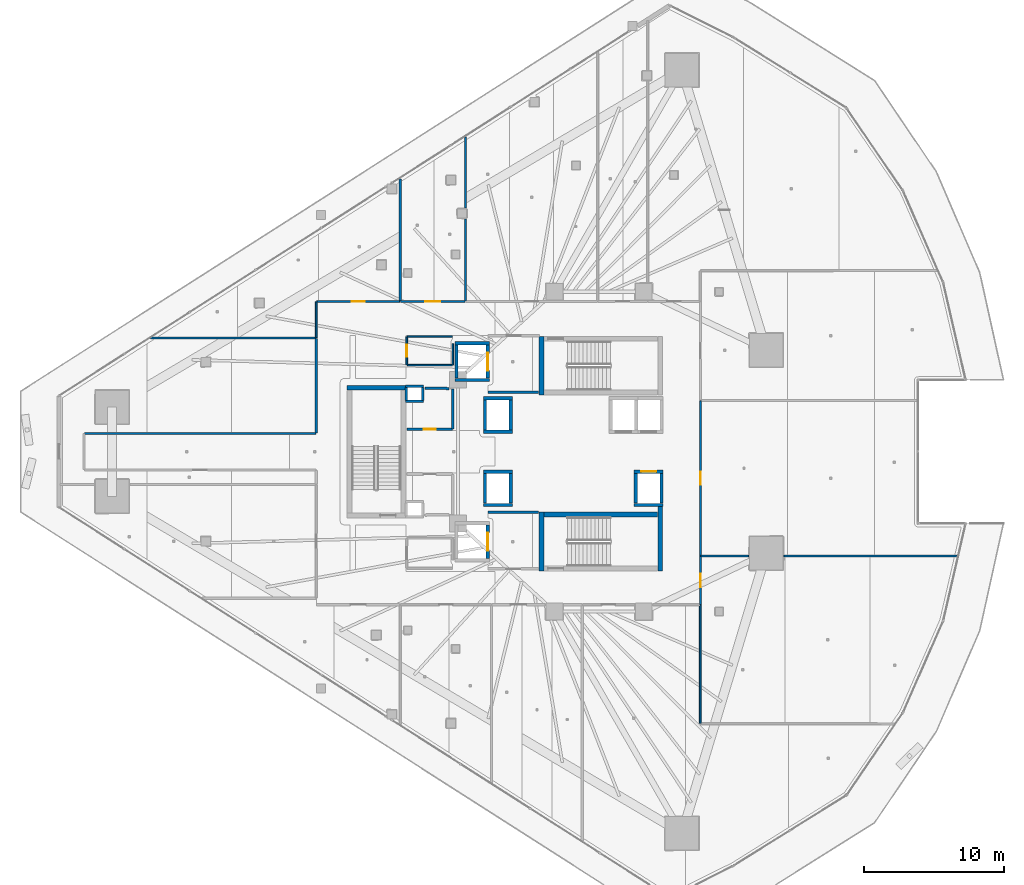
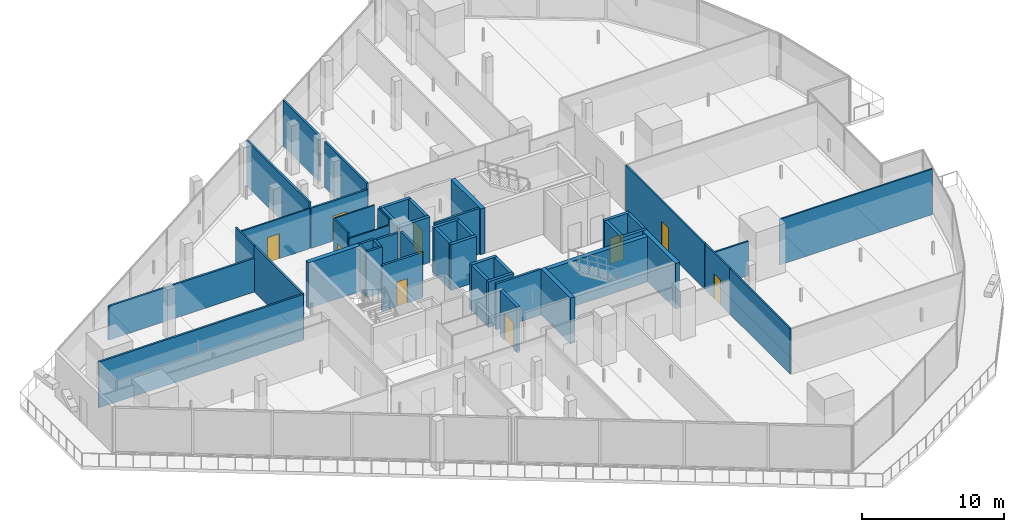
# One storey, part 31 of 46: 49 walls, 9 doors, 9 openings.
"""IFC4 building model written with IfcOpenShell, lengths in metres."""

from ifc_helpers import new_model, si_unit, direction, frame, frame_2d, origin, place, context, subcontext, project, spatial, rectangle, extrude, material, layer, layer_set, type_object, element, fill, save


model = new_model("IFC4")

# Units and contexts
model_context = context("Model", 3, precision=1e-05, world=origin(), true_north=direction((0.0, 1.0)))
body_context = subcontext(model_context, "Body", "Model", "MODEL_VIEW")
ifc_project = project(units=[si_unit("LENGTHUNIT", "METRE"), si_unit("AREAUNIT", "SQUARE_METRE"), si_unit("VOLUMEUNIT", "CUBIC_METRE"), si_unit("PLANEANGLEUNIT", "RADIAN"), si_unit("MASSUNIT", "GRAM", prefix="KILO")], contexts=[model_context])

# Site, building, storey
site_placement = place(None, origin())
site = spatial("IfcSite", under=ifc_project, at=site_placement, CompositionType="ELEMENT")
building_placement = place(site_placement, origin())
building = spatial("IfcBuilding", under=site, at=building_placement, Name="Qorvath Tower", CompositionType="ELEMENT")
storey_placement = place(building_placement, frame((0.0, 0.0, 87.0)))
storey = spatial("IfcBuildingStorey", under=building, at=storey_placement, Name="L19", CompositionType="ELEMENT", Elevation=87.0)

# Walls
ifc_material_1 = material(Name="Gypsum shaftliner on steel studs", Category="steel")
ifc_layer_1 = layer(ifc_material_1, 0.179931640625)
ifc_layer_set_1 = layer_set([ifc_layer_1], Name="FW-LOBBY")
wall_type_1 = type_object("IfcWallType", Name="FW-LOBBY", PredefinedType="PARTITIONING", material=ifc_layer_set_1)
for number, where, z_axis, x_axis, name in (
    (1, (-32.989990234375, 3.594970703125, 0.0), (0.0, 0.0, 1.0), (-1.0, 0.0, 0.0), "MEP Riser Shaft Enclosure Wall N-L19-S"),
    (2, (-34.260009765625, 4.675048828125, 0.0), (0.0, 0.0, 1.0), (1.0, 0.0, 0.0), "MEP Riser Shaft Enclosure Wall N-L19-N"),
):
    element("IfcWall", number, at=place(storey_placement, frame(where, z_axis=z_axis, x_axis=x_axis)), inside=storey, type_object=wall_type_1, Name=name, PredefinedType="PARTITIONING", context=body_context, shape_type="SweptSolid", body=[
        extrude(rectangle(XDim=1.27001953125, YDim=0.179931640625, at=frame_2d((0.635009765625, 0.0))), origin(), (0.0, 0.0, 1.0), 3.919921875),
    ])
for number, where, z_axis, x_axis, name in (
    (3, (-34.205078125, 3.659912109375, 0.0), (0.0, 0.0, 1.0), (0.0, 1.0, 0.0), "MEP Riser Shaft Enclosure Wall N-L19-W"),
    (4, (-33.044921875, 4.610107421875, 0.0), (0.0, 0.0, 1.0), (0.0, -1.0, 0.0), "MEP Riser Shaft Enclosure Wall N-L19-E"),
):
    element("IfcWall", number, at=place(storey_placement, frame(where, z_axis=z_axis, x_axis=x_axis)), inside=storey, type_object=wall_type_1, Name=name, PredefinedType="PARTITIONING", context=body_context, shape_type="SweptSolid", body=[
        extrude(rectangle(XDim=0.9501953125, YDim=0.179931640625, at=frame_2d((0.47509765625, 0.0))), origin(), (0.0, 0.0, 1.0), 3.919921875),
    ])
for number, where, z_axis, x_axis, name in (
    (5, (-28.35498046875, 4.25, 0.0), (0.0, 0.0, 1.0), (1.0, 0.0, 0.0), "Interior Partition IW-T1-L19-001"),
    (6, (-24.73291015625, -4.35009765625, 0.0), (0.0, 0.0, 1.0), (-1.0, 0.0, 0.0), "Interior Partition IW-T1-L19-004"),
):
    element("IfcWall", number, at=place(storey_placement, frame(where, z_axis=z_axis, x_axis=x_axis)), inside=storey, type_object=wall_type_1, Name=name, PredefinedType="PARTITIONING", context=body_context, shape_type="SweptSolid", body=[
        extrude(rectangle(XDim=3.6220703125, YDim=0.179931640625, at=frame_2d((1.81103515625, 0.0))), origin(), (0.0, 0.0, 1.0), 3.919921875),
    ])

# Wall, opening, door
wall_1_placement = place(storey_placement, frame((-34.15478515625, 1.60009765625, 0.0), z_axis=(0.0, 0.0, 1.0), x_axis=(1.0, 0.0, 0.0)))
wall_1 = element("IfcWall", 7, at=wall_1_placement, inside=storey, type_object=wall_type_1, Name="Interior Partition IW-T1-L19-013", PredefinedType="PARTITIONING", context=body_context, shape_type="SweptSolid", body=[
    extrude(rectangle(XDim=3.25, YDim=0.179931640625, at=frame_2d((1.625, 0.0))), origin(), (0.0, 0.0, 1.0), 3.919921875),
])
opening_1_placement = place(wall_1_placement, frame((1.18505859375, 0.0, 0.0)))
opening_1 = element("IfcOpeningElement", 8, at=opening_1_placement, cuts=wall_1, Name="Opening D-T1-L19-03", PredefinedType="OPENING", context=body_context, shape_type="SweptSolid", body=[
    extrude(rectangle(XDim=0.8798828125, YDim=2.10009765625, at=frame_2d((0.43994140625, 1.050048828125))), frame((0.0, 0.10009765625, 0.0), z_axis=(0.0, -1.0, 0.0), x_axis=(1.0, 0.0, 0.0)), (0.0, 0.0, 1.0), 0.199951171875),
])
ifc_material_2 = material(Name="Painted galvanised hollow metal", Category="steel")
door_type_1 = type_object("IfcDoorType", Name="FD-60N", OperationType="NOTDEFINED", PredefinedType="DOOR", material=ifc_material_2)
door_1_placement = place(opening_1_placement, origin())
door_1 = element("IfcDoor", 9, at=door_1_placement, inside=storey, type_object=door_type_1, Name="Core telecom and comms room L19 Door D-T1-L19-03", OperationType="SINGLE_SWING_RIGHT", OverallHeight=2.10009765625, OverallWidth=0.8798828125, PredefinedType="DOOR", context=body_context, shape_type="SweptSolid", body=[
    extrude(rectangle(XDim=0.8798828125, YDim=2.10009765625, at=frame_2d((0.43994140625, 1.050048828125))), frame((0.0, 0.02490234375, 0.0), z_axis=(0.0, -1.0, 0.0), x_axis=(1.0, 0.0, 0.0)), (0.0, 0.0, 1.0), 0.050048828125),
])
fill(opening_1, door_1)

# Walls
wall_2_placement = place(storey_placement, frame((-30.8798828125, 1.625, 0.0), z_axis=(0.0, 0.0, 1.0), x_axis=(0.0, 1.0, 0.0)))
element("IfcWall", 10, at=wall_2_placement, inside=storey, type_object=wall_type_1, Name="Interior Partition IW-T1-L19-014", PredefinedType="PARTITIONING", context=body_context, shape_type="SweptSolid", body=[
    extrude(rectangle(XDim=2.860107421875, YDim=0.179931640625, at=frame_2d((1.43017578125, 0.0))), origin(), (0.0, 0.0, 1.0), 3.919921875),
])
wall_3_placement = place(storey_placement, frame((-31.1650390625, 4.5224609375, 0.0), z_axis=(0.0, 0.0, 1.0), x_axis=(-0.9999584918, 0.009111239105, 0.0)))
element("IfcWall", 11, at=wall_3_placement, inside=storey, type_object=wall_type_1, Name="Interior Partition IW-T1-L19-015", PredefinedType="PARTITIONING", context=body_context, shape_type="SweptSolid", body=[
    extrude(rectangle(XDim=1.71484375, YDim=0.179931640625, at=frame_2d((0.857421875, 0.0))), origin(), (0.0, 0.0, 1.0), 3.919921875),
])

# Wall, opening, door
ifc_material_3 = material(Name="Double acoustic gypsum board on steel studs", Category="steel")
ifc_layer_2 = layer(ifc_material_3, 0.159912109375)
ifc_layer_set_2 = layer_set([ifc_layer_2], Name="IW-ACOUSTIC-160")
wall_type_2 = type_object("IfcWallType", Name="IW-ACOUSTIC-160", PredefinedType="PARTITIONING", material=ifc_layer_set_2)
wall_4_placement = place(storey_placement, frame((-34.625, 10.758056640625, 0.0), z_axis=(0.0, 0.0, 1.0), x_axis=(1.0, 0.0, 0.0)))
wall_4 = element("IfcWall", 12, at=wall_4_placement, inside=storey, type_object=wall_type_2, Name="Interior Partition IW-T1-L19-019", PredefinedType="PARTITIONING", context=body_context, shape_type="SweptSolid", body=[
    extrude(rectangle(XDim=4.62109375, YDim=0.159912109375, at=frame_2d((2.310546875, 0.0))), origin(), (0.0, 0.0, 1.0), 3.432861328125),
])
opening_2_placement = place(wall_4_placement, frame((1.760498046875, 0.0, 0.0)))
opening_2 = element("IfcOpeningElement", 13, at=opening_2_placement, cuts=wall_4, Name="Opening D-T1-L19-05", PredefinedType="OPENING", context=body_context, shape_type="SweptSolid", body=[
    extrude(rectangle(XDim=1.10009765625, YDim=2.14990234375, at=frame_2d((0.550048828125, 1.074951171875))), frame((0.0, 0.08984375, 0.0), z_axis=(0.0, -1.0, 0.0), x_axis=(1.0, 0.0, 0.0)), (0.0, 0.0, 1.0), 0.179931640625),
])
ifc_material_4 = material(Name="Anodised aluminium acoustic framed glass", Category="aluminium")
door_type_2 = type_object("IfcDoorType", Name="D-03", OperationType="NOTDEFINED", PredefinedType="DOOR", material=ifc_material_4)
door_2_placement = place(opening_2_placement, origin())
door_2 = element("IfcDoor", 14, at=door_2_placement, inside=storey, type_object=door_type_2, Name="L19-01 Client Services Office Door D-T1-L19-05", OperationType="SINGLE_SWING_RIGHT", OverallHeight=2.14990234375, OverallWidth=1.10009765625, PredefinedType="DOOR", context=body_context, shape_type="SweptSolid", body=[
    extrude(rectangle(XDim=1.10009765625, YDim=2.14990234375, at=frame_2d((0.550048828125, 1.074951171875))), frame((0.0, 0.02490234375, 0.0), z_axis=(0.0, -1.0, 0.0), x_axis=(1.0, 0.0, 0.0)), (0.0, 0.0, 1.0), 0.050048828125),
])
fill(opening_2, door_2)

# Walls
wall_5_placement = place(storey_placement, frame((-29.97900390625, 10.783203125, 0.0), z_axis=(0.0, 0.0, 1.0), x_axis=(0.0, 1.0, 0.0)))
element("IfcWall", 15, at=wall_5_placement, inside=storey, type_object=wall_type_2, Name="Interior Partition IW-T1-L19-020", PredefinedType="PARTITIONING", context=body_context, shape_type="SweptSolid", body=[
    extrude(rectangle(XDim=5.886474609375, YDim=0.159912109375, at=frame_2d((2.943359375, 0.0))), origin(), (0.0, 0.0, 1.0), 3.919921875),
])
wall_6_placement = place(storey_placement, frame((-29.97900390625, 17.44970703125, 0.0), z_axis=(0.0, 0.0, 1.0), x_axis=(0.0, 1.0, 0.0)))
element("IfcWall", 16, at=wall_6_placement, inside=storey, type_object=wall_type_2, Name="Interior Partition IW-T1-L19-021", PredefinedType="PARTITIONING", context=body_context, shape_type="SweptSolid", body=[
    extrude(rectangle(XDim=5.072998046875, YDim=0.159912109375, at=frame_2d((2.53662109375, 0.0))), origin(), (0.0, 0.0, 1.0), 3.919921875),
])
wall_7_placement = place(storey_placement, frame((-34.64990234375, 19.537353515625, 0.0), z_axis=(0.0, 0.0, 1.0), x_axis=(0.0, -1.0, 0.0)))
element("IfcWall", 17, at=wall_7_placement, inside=storey, type_object=wall_type_2, Name="Interior Partition IW-T1-L19-022", PredefinedType="PARTITIONING", context=body_context, shape_type="SweptSolid", body=[
    extrude(rectangle(XDim=8.754150390625, YDim=0.159912109375, at=frame_2d((4.376953125, 0.0))), origin(), (0.0, 0.0, 1.0), 3.919921875),
])
wall_8_placement = place(storey_placement, frame((-57.277587890625, 1.30810546875, 0.0), z_axis=(0.0, 0.0, 1.0), x_axis=(1.0, 0.0, 0.0)))
element("IfcWall", 18, at=wall_8_placement, inside=storey, type_object=wall_type_2, Name="Interior Partition IW-T1-L19-055", PredefinedType="PARTITIONING", context=body_context, shape_type="SweptSolid", body=[
    extrude(rectangle(XDim=16.594482421875, YDim=0.159912109375, at=frame_2d((8.29736328125, 0.0))), origin(), (0.0, 0.0, 1.0), 3.919921875),
])
wall_9_placement = place(storey_placement, frame((-40.657958984375, 1.3330078125, 0.0), z_axis=(0.0, 0.0, 1.0), x_axis=(0.0, 1.0, 0.0)))
element("IfcWall", 19, at=wall_9_placement, inside=storey, type_object=wall_type_2, Name="Interior Partition IW-T1-L19-056", PredefinedType="PARTITIONING", context=body_context, shape_type="SweptSolid", body=[
    extrude(rectangle(XDim=6.7763671875, YDim=0.159912109375, at=frame_2d((3.38818359375, 0.0))), origin(), (0.0, 0.0, 1.0), 3.919921875),
])
wall_10_placement = place(storey_placement, frame((-40.68310546875, 8.13427734375, 0.0), z_axis=(0.0, 0.0, 1.0), x_axis=(-1.0, 0.0, 0.0)))
element("IfcWall", 20, at=wall_10_placement, inside=storey, type_object=wall_type_2, Name="Interior Partition IW-T1-L19-057", PredefinedType="PARTITIONING", context=body_context, shape_type="SweptSolid", body=[
    extrude(rectangle(XDim=11.853515625, YDim=0.159912109375, at=frame_2d((5.9267578125, 0.0))), origin(), (0.0, 0.0, 1.0), 2.889892578125),
])
ifc_material_5 = material(Name="Gypsum board on metal studs with mineral wool", Category="gypsum")
ifc_layer_3 = layer(ifc_material_5, 0.125)
ifc_layer_set_3 = layer_set([ifc_layer_3], Name="IW-PART-125")
wall_type_3 = type_object("IfcWallType", Name="IW-PART-125", PredefinedType="PARTITIONING", material=ifc_layer_set_3)
wall_11_placement = place(storey_placement, frame((-13.14990234375, -19.45849609375, 0.0), z_axis=(0.0, 0.0, 1.0), x_axis=(0.0, 1.0, 0.0)))
element("IfcWall", 21, at=wall_11_placement, inside=storey, type_object=wall_type_3, Name="Interior Partition IW-T1-L19-038", PredefinedType="PARTITIONING", context=body_context, shape_type="SweptSolid", body=[
    extrude(rectangle(XDim=8.4755859375, YDim=0.125, at=frame_2d((4.23779296875, 0.0))), origin(), (0.0, 0.0, 1.0), 3.919921875),
])
wall_12_placement = place(storey_placement, frame((5.24169921875, -7.47802734375, 0.0), z_axis=(0.0, 0.0, 1.0), x_axis=(-1.0, 0.0, 0.0)))
element("IfcWall", 22, at=wall_12_placement, inside=storey, type_object=wall_type_3, Name="Interior Partition IW-T1-L19-041", PredefinedType="PARTITIONING", context=body_context, shape_type="SweptSolid", body=[
    extrude(rectangle(XDim=12.406982421875, YDim=0.125, at=frame_2d((6.20361328125, 0.0))), origin(), (0.0, 0.0, 1.0), 3.919921875),
])
wall_13_placement = place(storey_placement, frame((-9.6953125, -7.47802734375, 0.0), z_axis=(0.0, 0.0, 1.0), x_axis=(-1.0, 0.0, 0.0)))
element("IfcWall", 23, at=wall_13_placement, inside=storey, type_object=wall_type_3, Name="Interior Partition IW-T1-L19-042", PredefinedType="PARTITIONING", context=body_context, shape_type="SweptSolid", body=[
    extrude(rectangle(XDim=3.421875, YDim=0.125, at=frame_2d((1.7109375, 0.0))), origin(), (0.0, 0.0, 1.0), 2.956787109375),
])

# Wall, opening, door
wall_14_placement = place(storey_placement, frame((-13.14208984375, -7.5029296875, 0.0), z_axis=(0.0, 0.0, 1.0), x_axis=(0.0, -1.0, 0.0)))
wall_14 = element("IfcWall", 24, at=wall_14_placement, inside=storey, type_object=wall_type_3, Name="Interior Partition IW-T1-L19-043", PredefinedType="PARTITIONING", context=body_context, shape_type="SweptSolid", body=[
    extrude(rectangle(XDim=3.455078125, YDim=0.125, at=frame_2d((1.7275390625, 0.0))), origin(), (0.0, 0.0, 1.0), 3.919921875),
])
opening_3_placement = place(wall_14_placement, frame((1.25244140625, 0.0, 0.0)))
opening_3 = element("IfcOpeningElement", 25, at=opening_3_placement, cuts=wall_14, Name="Opening D-T1-L19-12", PredefinedType="OPENING", context=body_context, shape_type="SweptSolid", body=[
    extrude(rectangle(XDim=0.949951171875, YDim=2.14990234375, at=frame_2d((0.47509765625, 1.074951171875))), frame((0.0, 0.072509765625, 0.0), z_axis=(0.0, -1.0, 0.0), x_axis=(1.0, 0.0, 0.0)), (0.0, 0.0, 1.0), 0.14501953125),
])
ifc_material_6 = material(Name="Solid-core American white oak veneer", Category="wood")
door_type_3 = type_object("IfcDoorType", Name="D-01", OperationType="NOTDEFINED", PredefinedType="DOOR", material=ifc_material_6)
door_3_placement = place(opening_3_placement, origin())
door_3 = element("IfcDoor", 26, at=door_3_placement, inside=storey, type_object=door_type_3, Name="L19-08 Engineering Documentation Suite Door D-T1-L19-12", OperationType="SINGLE_SWING_LEFT", OverallHeight=2.14990234375, OverallWidth=0.949951171875, PredefinedType="DOOR", context=body_context, shape_type="SweptSolid", body=[
    extrude(rectangle(XDim=0.949951171875, YDim=2.14990234375, at=frame_2d((0.47509765625, 1.074951171875))), frame((0.0, 0.02490234375, 0.0), z_axis=(0.0, -1.0, 0.0), x_axis=(1.0, 0.0, 0.0)), (0.0, 0.0, 1.0), 0.050048828125),
])
fill(opening_3, door_3)

wall_15_placement = place(storey_placement, frame((-13.14208984375, 3.64306640625, 0.0), z_axis=(0.0, 0.0, 1.0), x_axis=(0.0, -1.0, 0.0)))
wall_15 = element("IfcWall", 27, at=wall_15_placement, inside=storey, type_object=wall_type_3, Name="Interior Partition IW-T1-L19-045", PredefinedType="PARTITIONING", context=body_context, shape_type="SweptSolid", body=[
    extrude(rectangle(XDim=11.088134765625, YDim=0.125, at=frame_2d((5.5439453125, 0.0))), origin(), (0.0, 0.0, 1.0), 3.919921875),
])
opening_4_placement = place(wall_15_placement, frame((5.069091796875, 0.0, 0.0)))
opening_4 = element("IfcOpeningElement", 28, at=opening_4_placement, cuts=wall_15, Name="Opening D-T1-L19-13", PredefinedType="OPENING", context=body_context, shape_type="SweptSolid", body=[
    extrude(rectangle(XDim=0.949951171875, YDim=2.14990234375, at=frame_2d((0.47509765625, 1.074951171875))), frame((0.0, 0.072509765625, 0.0), z_axis=(0.0, -1.0, 0.0), x_axis=(1.0, 0.0, 0.0)), (0.0, 0.0, 1.0), 0.14501953125),
])
door_4_placement = place(opening_4_placement, origin())
door_4 = element("IfcDoor", 29, at=door_4_placement, inside=storey, type_object=door_type_3, Name="L19-09 Open Workplace Studio Door D-T1-L19-13", OperationType="SINGLE_SWING_RIGHT", OverallHeight=2.14990234375, OverallWidth=0.949951171875, PredefinedType="DOOR", context=body_context, shape_type="SweptSolid", body=[
    extrude(rectangle(XDim=0.949951171875, YDim=2.14990234375, at=frame_2d((0.47509765625, 1.074951171875))), frame((0.0, 0.02490234375, 0.0), z_axis=(0.0, -1.0, 0.0), x_axis=(1.0, 0.0, 0.0)), (0.0, 0.0, 1.0), 0.050048828125),
])
fill(opening_4, door_4)

# Wall
wall_16_placement = place(storey_placement, frame((-40.657958984375, 8.167236328125, 0.0), z_axis=(0.0, 0.0, 1.0), x_axis=(0.0, 1.0, 0.0)))
element("IfcWall", 30, at=wall_16_placement, inside=storey, type_object=wall_type_3, Name="Interior Partition IW-T1-L19-058", PredefinedType="PARTITIONING", context=body_context, shape_type="SweptSolid", body=[
    extrude(rectangle(XDim=2.56591796875, YDim=0.125, at=frame_2d((1.282958984375, 0.0))), origin(), (0.0, 0.0, 1.0), 3.919921875),
])

# Wall, opening, door
wall_17_placement = place(storey_placement, frame((-40.633056640625, 10.758056640625, 0.0), z_axis=(0.0, 0.0, 1.0), x_axis=(1.0, 0.0, 0.0)))
wall_17 = element("IfcWall", 31, at=wall_17_placement, inside=storey, type_object=wall_type_3, Name="Interior Partition IW-T1-L19-059", PredefinedType="PARTITIONING", context=body_context, shape_type="SweptSolid", body=[
    extrude(rectangle(XDim=5.949951171875, YDim=0.125, at=frame_2d((2.97509765625, 0.0))), origin(), (0.0, 0.0, 1.0), 3.432861328125),
])
opening_5_placement = place(wall_17_placement, frame((2.5, 0.0, 0.0)))
opening_5 = element("IfcOpeningElement", 32, at=opening_5_placement, cuts=wall_17, Name="Opening D-T1-L19-17", PredefinedType="OPENING", context=body_context, shape_type="SweptSolid", body=[
    extrude(rectangle(XDim=0.949951171875, YDim=2.14990234375, at=frame_2d((0.47509765625, 1.074951171875))), frame((0.0, 0.072509765625, 0.0), z_axis=(0.0, -1.0, 0.0), x_axis=(1.0, 0.0, 0.0)), (0.0, 0.0, 1.0), 0.14501953125),
])
door_5_placement = place(opening_5_placement, origin())
door_5 = element("IfcDoor", 33, at=door_5_placement, inside=storey, type_object=door_type_3, Name="L19-14 Design Pin-Up Atelier Door D-T1-L19-17", OperationType="SINGLE_SWING_RIGHT", OverallHeight=2.14990234375, OverallWidth=0.949951171875, PredefinedType="DOOR", context=body_context, shape_type="SweptSolid", body=[
    extrude(rectangle(XDim=0.949951171875, YDim=2.14990234375, at=frame_2d((0.47509765625, 1.074951171875))), frame((0.0, 0.02490234375, 0.0), z_axis=(0.0, -1.0, 0.0), x_axis=(1.0, 0.0, 0.0)), (0.0, 0.0, 1.0), 0.050048828125),
])
fill(opening_5, door_5)

ifc_material_7 = material(Name="Moisture-resistant cement board on metal studs", Category="gypsum")
ifc_layer_4 = layer(ifc_material_7, 0.110107421875)
ifc_layer_set_4 = layer_set([ifc_layer_4], Name="IW-WC-110")
wall_type_4 = type_object("IfcWallType", Name="IW-WC-110", PredefinedType="PARTITIONING", material=ifc_layer_set_4)
wall_18_placement = place(storey_placement, frame((-34.179931640625, 8.22509765625, 0.0), z_axis=(0.0, 0.0, 1.0), x_axis=(0.0, -1.0, 0.0)))
wall_18 = element("IfcWall", 34, at=wall_18_placement, inside=storey, type_object=wall_type_4, Name="Interior Partition IW-T1-L19-005", PredefinedType="PARTITIONING", context=body_context, shape_type="SweptSolid", body=[
    extrude(rectangle(XDim=2.0, YDim=0.110107421875, at=frame_2d((1.0, 0.0))), origin(), (0.0, 0.0, 1.0), 3.919921875),
])
opening_6_placement = place(wall_18_placement, frame((0.56005859375, 0.0, 0.0)))
opening_6 = element("IfcOpeningElement", 35, at=opening_6_placement, cuts=wall_18, Name="Opening D-T1-L19-01", PredefinedType="OPENING", context=body_context, shape_type="SweptSolid", body=[
    extrude(rectangle(XDim=0.8798828125, YDim=2.10009765625, at=frame_2d((0.43994140625, 1.050048828125))), frame((0.0, 0.06494140625, 0.0), z_axis=(0.0, -1.0, 0.0), x_axis=(1.0, 0.0, 0.0)), (0.0, 0.0, 1.0), 0.130126953125),
])
ifc_material_8 = material(Name="Solid-core oak with acoustic drop seal", Category="wood")
door_type_4 = type_object("IfcDoorType", Name="D-02", OperationType="NOTDEFINED", PredefinedType="DOOR", material=ifc_material_8)
door_6_placement = place(opening_6_placement, origin())
door_6 = element("IfcDoor", 36, at=door_6_placement, inside=storey, type_object=door_type_4, Name="WC All-Gender North L19 Door D-T1-L19-01", OperationType="SINGLE_SWING_RIGHT", OverallHeight=2.10009765625, OverallWidth=0.8798828125, PredefinedType="DOOR", context=body_context, shape_type="SweptSolid", body=[
    extrude(rectangle(XDim=0.8798828125, YDim=2.10009765625, at=frame_2d((0.43994140625, 1.050048828125))), frame((0.0, 0.02490234375, 0.0), z_axis=(0.0, -1.0, 0.0), x_axis=(1.0, 0.0, 0.0)), (0.0, 0.0, 1.0), 0.050048828125),
])
fill(opening_6, door_6)

# Walls
wall_19_placement = place(storey_placement, frame((-34.15478515625, 6.199951171875, 0.0), z_axis=(0.0, 0.0, 1.0), x_axis=(1.0, 0.0, 0.0)))
element("IfcWall", 37, at=wall_19_placement, inside=storey, type_object=wall_type_4, Name="Interior Partition IW-T1-L19-006", PredefinedType="PARTITIONING", context=body_context, shape_type="SweptSolid", body=[
    extrude(rectangle(XDim=3.25, YDim=0.110107421875, at=frame_2d((1.625, 0.0))), origin(), (0.0, 0.0, 1.0), 3.432861328125),
])
wall_20_placement = place(storey_placement, frame((-30.8798828125, 6.22509765625, 0.0), z_axis=(0.0, 0.0, 1.0), x_axis=(0.0, 1.0, 0.0)))
element("IfcWall", 38, at=wall_20_placement, inside=storey, type_object=wall_type_4, Name="Interior Partition IW-T1-L19-007", PredefinedType="PARTITIONING", context=body_context, shape_type="SweptSolid", body=[
    extrude(rectangle(XDim=1.517822265625, YDim=0.110107421875, at=frame_2d((0.7587890625, 0.0))), origin(), (0.0, 0.0, 1.0), 3.919921875),
])
wall_21_placement = place(storey_placement, frame((-30.90478515625, 8.25, 0.0), z_axis=(0.0, 0.0, 1.0), x_axis=(-1.0, 0.0, 0.0)))
element("IfcWall", 39, at=wall_21_placement, inside=storey, type_object=wall_type_4, Name="Interior Partition IW-T1-L19-008", PredefinedType="PARTITIONING", context=body_context, shape_type="SweptSolid", body=[
    extrude(rectangle(XDim=3.25, YDim=0.110107421875, at=frame_2d((1.625, 0.0))), origin(), (0.0, 0.0, 1.0), 3.919921875),
])
ifc_material_9 = material(Name="Concrete C60/75", Category="concrete")
ifc_layer_5 = layer(ifc_material_9, 0.260009765625)
ifc_layer_set_5 = layer_set([ifc_layer_5], Name="SW-SHAFT")
wall_type_5 = type_object("IfcWallType", Name="SW-SHAFT", PredefinedType="SHEAR", material=ifc_layer_set_5)
for number, where, z_axis, x_axis, name in (
    (40, (-28.260009765625, 5.1298828125, 0.0), (0.0, 0.0, 1.0), (-1.0, 0.0, 0.0), "Hoistway Wall FSAE-1 L19 S"),
    (41, (-30.739990234375, 7.77001953125, 0.0), (0.0, 0.0, 1.0), (1.0, 0.0, 0.0), "Hoistway Wall FSAE-1 L19 N"),
):
    element("IfcWall", number, at=place(storey_placement, frame(where, z_axis=z_axis, x_axis=x_axis)), inside=storey, type_object=wall_type_5, Name=name, PredefinedType="SHEAR", context=body_context, shape_type="SweptSolid", body=[
        extrude(rectangle(XDim=2.47998046875, YDim=0.239990234375, at=frame_2d((1.239990234375, 0.0))), origin(), (0.0, 0.0, 1.0), 3.919921875),
    ])
wall_22_placement = place(storey_placement, frame((-30.6201171875, 5.261962890625, 0.0), z_axis=(0.0, 0.0, 1.0), x_axis=(0.0, 1.0, 0.0)))
element("IfcWall", 42, at=wall_22_placement, inside=storey, type_object=wall_type_5, Name="Hoistway Wall FSAE-1 L19 W", PredefinedType="SHEAR", context=body_context, shape_type="SweptSolid", body=[
    extrude(rectangle(XDim=2.3759765625, YDim=0.239990234375, at=frame_2d((1.18798828125, 0.0))), origin(), (0.0, 0.0, 1.0), 3.919921875),
])

# Wall, opening, door
wall_23_placement = place(storey_placement, frame((-28.3798828125, 7.637939453125, 0.0), z_axis=(0.0, 0.0, 1.0), x_axis=(0.0, -1.0, 0.0)))
wall_23 = element("IfcWall", 43, at=wall_23_placement, inside=storey, type_object=wall_type_5, Name="Hoistway Wall FSAE-1 L19 E", PredefinedType="SHEAR", context=body_context, shape_type="SweptSolid", body=[
    extrude(rectangle(XDim=2.3759765625, YDim=0.239990234375, at=frame_2d((1.18798828125, 0.0))), origin(), (0.0, 0.0, 1.0), 3.919921875),
])
opening_7_placement = place(wall_23_placement, frame((0.537841796875, 0.0, 0.0)))
opening_7 = element("IfcOpeningElement", 44, at=opening_7_placement, cuts=wall_23, Name="Opening LD-FSAE-1-L19", PredefinedType="OPENING", context=body_context, shape_type="SweptSolid", body=[
    extrude(rectangle(XDim=1.300048828125, YDim=2.300048828125, at=frame_2d((0.64990234375, 1.14990234375))), frame((0.0, 0.1298828125, 0.0), z_axis=(0.0, -1.0, 0.0), x_axis=(1.0, 0.0, 0.0)), (0.0, 0.0, 1.0), 0.260009765625),
])
ifc_material_10 = material(Name="Brushed stainless steel AISI 316", Category="steel")
door_type_5 = type_object("IfcDoorType", Name="LD-02", OperationType="NOTDEFINED", PredefinedType="DOOR", material=ifc_material_10)
door_7_placement = place(opening_7_placement, origin())
door_7 = element("IfcDoor", 45, at=door_7_placement, inside=storey, type_object=door_type_5, Name="Elevator Landing Sliding Door LD-FSAE-1-L19", OperationType="DOUBLE_DOOR_SLIDING", OverallHeight=2.300048828125, OverallWidth=1.300048828125, PredefinedType="DOOR", context=body_context, shape_type="SweptSolid", body=[
    extrude(rectangle(XDim=1.300048828125, YDim=2.300048828125, at=frame_2d((0.64990234375, 1.14990234375))), frame((0.0, 0.02490234375, 0.0), z_axis=(0.0, -1.0, 0.0), x_axis=(1.0, 0.0, 0.0)), (0.0, 0.0, 1.0), 0.050048828125),
])
fill(opening_7, door_7)

wall_24_placement = place(storey_placement, frame((-28.3798828125, -5.261962890625, 0.0), z_axis=(0.0, 0.0, 1.0), x_axis=(0.0, -1.0, 0.0)))
wall_24 = element("IfcWall", 46, at=wall_24_placement, inside=storey, type_object=wall_type_5, Name="Hoistway Wall FSAE-2 L19 E", PredefinedType="SHEAR", context=body_context, shape_type="SweptSolid", body=[
    extrude(rectangle(XDim=2.3759765625, YDim=0.239990234375, at=frame_2d((1.18798828125, 0.0))), origin(), (0.0, 0.0, 1.0), 3.919921875),
])
opening_8_placement = place(wall_24_placement, frame((0.5380859375, 0.0, 0.0)))
opening_8 = element("IfcOpeningElement", 47, at=opening_8_placement, cuts=wall_24, Name="Opening LD-FSAE-2-L19", PredefinedType="OPENING", context=body_context, shape_type="SweptSolid", body=[
    extrude(rectangle(XDim=1.300048828125, YDim=2.300048828125, at=frame_2d((0.64990234375, 1.14990234375))), frame((0.0, 0.1298828125, 0.0), z_axis=(0.0, -1.0, 0.0), x_axis=(1.0, 0.0, 0.0)), (0.0, 0.0, 1.0), 0.260009765625),
])
door_8_placement = place(opening_8_placement, origin())
door_8 = element("IfcDoor", 48, at=door_8_placement, inside=storey, type_object=door_type_5, Name="Elevator Landing Sliding Door LD-FSAE-2-L19", OperationType="DOUBLE_DOOR_SLIDING", OverallHeight=2.300048828125, OverallWidth=1.300048828125, PredefinedType="DOOR", context=body_context, shape_type="SweptSolid", body=[
    extrude(rectangle(XDim=1.300048828125, YDim=2.300048828125, at=frame_2d((0.64990234375, 1.14990234375))), frame((0.0, 0.02490234375, 0.0), z_axis=(0.0, -1.0, 0.0), x_axis=(1.0, 0.0, 0.0)), (0.0, 0.0, 1.0), 0.050048828125),
])
fill(opening_8, door_8)

# Walls
for number, where, z_axis, x_axis, name in (
    (49, (-26.610107421875, 1.429931640625, 0.0), (0.0, 0.0, 1.0), (-1.0, 0.0, 0.0), "Hoistway Wall PS-1 L19 S"),
    (50, (-28.68994140625, 3.820068359375, 0.0), (0.0, 0.0, 1.0), (1.0, 0.0, 0.0), "Hoistway Wall PS-1 L19 N"),
):
    element("IfcWall", number, at=place(storey_placement, frame(where, z_axis=z_axis, x_axis=x_axis)), inside=storey, type_object=wall_type_5, Name=name, PredefinedType="SHEAR", context=body_context, shape_type="SweptSolid", body=[
        extrude(rectangle(XDim=2.079833984375, YDim=0.239990234375, at=frame_2d((1.0400390625, 0.0))), origin(), (0.0, 0.0, 1.0), 3.919921875),
    ])
for number, where, z_axis, x_axis, name in (
    (51, (-28.570068359375, 1.56201171875, 0.0), (0.0, 0.0, 1.0), (0.0, 1.0, 0.0), "Hoistway Wall PS-1 L19 W"),
    (52, (-26.72998046875, 3.68798828125, 0.0), (0.0, 0.0, 1.0), (0.0, -1.0, 0.0), "Hoistway Wall PS-1 L19 E"),
):
    element("IfcWall", number, at=place(storey_placement, frame(where, z_axis=z_axis, x_axis=x_axis)), inside=storey, type_object=wall_type_5, Name=name, PredefinedType="SHEAR", context=body_context, shape_type="SweptSolid", body=[
        extrude(rectangle(XDim=2.1259765625, YDim=0.239990234375, at=frame_2d((1.06298828125, 0.0))), origin(), (0.0, 0.0, 1.0), 3.919921875),
    ])
for number, where, z_axis, x_axis, name in (
    (53, (-26.610107421875, -3.820068359375, 0.0), (0.0, 0.0, 1.0), (-1.0, 0.0, 0.0), "Hoistway Wall PS-2 L19 S"),
    (54, (-28.68994140625, -1.429931640625, 0.0), (0.0, 0.0, 1.0), (1.0, 0.0, 0.0), "Hoistway Wall PS-2 L19 N"),
):
    element("IfcWall", number, at=place(storey_placement, frame(where, z_axis=z_axis, x_axis=x_axis)), inside=storey, type_object=wall_type_5, Name=name, PredefinedType="SHEAR", context=body_context, shape_type="SweptSolid", body=[
        extrude(rectangle(XDim=2.079833984375, YDim=0.239990234375, at=frame_2d((1.0400390625, 0.0))), origin(), (0.0, 0.0, 1.0), 3.919921875),
    ])
for number, where, z_axis, x_axis, name in (
    (55, (-28.570068359375, -3.68798828125, 0.0), (0.0, 0.0, 1.0), (0.0, 1.0, 0.0), "Hoistway Wall PS-2 L19 W"),
    (56, (-26.72998046875, -1.56201171875, 0.0), (0.0, 0.0, 1.0), (0.0, -1.0, 0.0), "Hoistway Wall PS-2 L19 E"),
):
    element("IfcWall", number, at=place(storey_placement, frame(where, z_axis=z_axis, x_axis=x_axis)), inside=storey, type_object=wall_type_5, Name=name, PredefinedType="SHEAR", context=body_context, shape_type="SweptSolid", body=[
        extrude(rectangle(XDim=2.1259765625, YDim=0.239990234375, at=frame_2d((1.06298828125, 0.0))), origin(), (0.0, 0.0, 1.0), 3.919921875),
    ])
wall_25_placement = place(storey_placement, frame((-15.81005859375, -3.820068359375, 0.0), z_axis=(0.0, 0.0, 1.0), x_axis=(-1.0, 0.0, 0.0)))
element("IfcWall", 57, at=wall_25_placement, inside=storey, type_object=wall_type_5, Name="Hoistway Wall PL-2 L19 S", PredefinedType="SHEAR", context=body_context, shape_type="SweptSolid", body=[
    extrude(rectangle(XDim=2.079833984375, YDim=0.239990234375, at=frame_2d((1.0400390625, 0.0))), origin(), (0.0, 0.0, 1.0), 3.919921875),
])

# Wall, opening, door
wall_26_placement = place(storey_placement, frame((-17.889892578125, -1.429931640625, 0.0), z_axis=(0.0, 0.0, 1.0), x_axis=(1.0, 0.0, 0.0)))
wall_26 = element("IfcWall", 58, at=wall_26_placement, inside=storey, type_object=wall_type_5, Name="Hoistway Wall PL-2 L19 N", PredefinedType="SHEAR", context=body_context, shape_type="SweptSolid", body=[
    extrude(rectangle(XDim=2.079833984375, YDim=0.239990234375, at=frame_2d((1.0400390625, 0.0))), origin(), (0.0, 0.0, 1.0), 3.919921875),
])
opening_9_placement = place(wall_26_placement, frame((0.48974609375, 0.0, 0.0)))
opening_9 = element("IfcOpeningElement", 59, at=opening_9_placement, cuts=wall_26, Name="Opening LD-PL-2-L19", PredefinedType="OPENING", context=body_context, shape_type="SweptSolid", body=[
    extrude(rectangle(XDim=1.10009765625, YDim=2.199951171875, at=frame_2d((0.550048828125, 1.10009765625))), frame((0.0, 0.1298828125, 0.0), z_axis=(0.0, -1.0, 0.0), x_axis=(1.0, 0.0, 0.0)), (0.0, 0.0, 1.0), 0.260009765625),
])
ifc_material_11 = material(Name="Brushed stainless steel AISI 316", Category="steel")
door_type_6 = type_object("IfcDoorType", Name="LD-01", OperationType="NOTDEFINED", PredefinedType="DOOR", material=ifc_material_11)
door_9_placement = place(opening_9_placement, origin())
door_9 = element("IfcDoor", 60, at=door_9_placement, inside=storey, type_object=door_type_6, Name="Elevator Landing Sliding Door LD-PL-2-L19", OperationType="DOUBLE_DOOR_SLIDING", OverallHeight=2.199951171875, OverallWidth=1.10009765625, PredefinedType="DOOR", context=body_context, shape_type="SweptSolid", body=[
    extrude(rectangle(XDim=1.10009765625, YDim=2.199951171875, at=frame_2d((0.550048828125, 1.10009765625))), frame((0.0, 0.02490234375, 0.0), z_axis=(0.0, -1.0, 0.0), x_axis=(1.0, 0.0, 0.0)), (0.0, 0.0, 1.0), 0.050048828125),
])
fill(opening_9, door_9)

# Walls
for number, where, z_axis, x_axis, name in (
    (61, (-17.77001953125, -3.68798828125, 0.0), (0.0, 0.0, 1.0), (0.0, 1.0, 0.0), "Hoistway Wall PL-2 L19 W"),
    (62, (-15.929931640625, -1.56201171875, 0.0), (0.0, 0.0, 1.0), (0.0, -1.0, 0.0), "Hoistway Wall PL-2 L19 E"),
):
    element("IfcWall", number, at=place(storey_placement, frame(where, z_axis=z_axis, x_axis=x_axis)), inside=storey, type_object=wall_type_5, Name=name, PredefinedType="SHEAR", context=body_context, shape_type="SweptSolid", body=[
        extrude(rectangle(XDim=2.1259765625, YDim=0.239990234375, at=frame_2d((1.06298828125, 0.0))), origin(), (0.0, 0.0, 1.0), 3.919921875),
    ])
ifc_material_12 = material(Name="Concrete C60/75", Category="concrete")
ifc_layer_6 = layer(ifc_material_12, 0.35009765625)
ifc_layer_set_6 = layer_set([ifc_layer_6], Name="SW-STAIR")
wall_type_6 = type_object("IfcWallType", Name="SW-STAIR", PredefinedType="SHEAR", material=ifc_layer_set_6)
for number, where, z_axis, x_axis, name in (
    (63, (-24.52490234375, 8.260009765625, 0.0), (0.0, 0.0, 1.0), (0.0, -1.0, 0.0), "Stair TS1 Shear Wall L19 NEAR"),
    (64, (-24.52490234375, -4.340087890625, 0.0), (0.0, 0.0, 1.0), (0.0, -1.0, 0.0), "Stair TS2 Shear Wall L19 NEAR"),
):
    element("IfcWall", number, at=place(storey_placement, frame(where, z_axis=z_axis, x_axis=x_axis)), inside=storey, type_object=wall_type_6, Name=name, PredefinedType="SHEAR", context=body_context, shape_type="SweptSolid", body=[
        extrude(rectangle(XDim=4.2099609375, YDim=0.35009765625, at=frame_2d((2.10498046875, 0.0))), origin(), (0.0, 0.0, 1.0), 3.919921875),
    ])
wall_27_placement = place(storey_placement, frame((-16.02490234375, -8.550048828125, 0.0), z_axis=(0.0, 0.0, 1.0), x_axis=(0.0, 1.0, 0.0)))
element("IfcWall", 65, at=wall_27_placement, inside=storey, type_object=wall_type_6, Name="Stair TS2 Shear Wall L19 FAR", PredefinedType="SHEAR", context=body_context, shape_type="SweptSolid", body=[
    extrude(rectangle(XDim=4.610107421875, YDim=0.35009765625, at=frame_2d((2.30517578125, 0.0))), origin(), (0.0, 0.0, 1.0), 3.919921875),
])
wall_28_placement = place(storey_placement, frame((-16.215087890625, -4.514892578125, 0.0), z_axis=(0.0, 0.0, 1.0), x_axis=(-1.0, 0.0, 0.0)))
element("IfcWall", 66, at=wall_28_placement, inside=storey, type_object=wall_type_6, Name="Stair TS2 Shear Wall L19 RIGHT", PredefinedType="SHEAR", context=body_context, shape_type="SweptSolid", body=[
    extrude(rectangle(XDim=8.119873046875, YDim=0.35009765625, at=frame_2d((4.06005859375, 0.0))), origin(), (0.0, 0.0, 1.0), 3.919921875),
])
wall_29_placement = place(storey_placement, frame((-34.25, 4.574951171875, 0.0), z_axis=(0.0, 0.0, 1.0), x_axis=(-1.0, 0.0, 0.0)))
element("IfcWall", 67, at=wall_29_placement, inside=storey, type_object=wall_type_6, Name="Stair TS3 Shear Wall L19 FAR", PredefinedType="SHEAR", context=body_context, shape_type="SweptSolid", body=[
    extrude(rectangle(XDim=4.2099609375, YDim=0.35009765625, at=frame_2d((2.10498046875, 0.0))), origin(), (0.0, 0.0, 1.0), 3.919921875),
])

save(model, "model.ifc")
